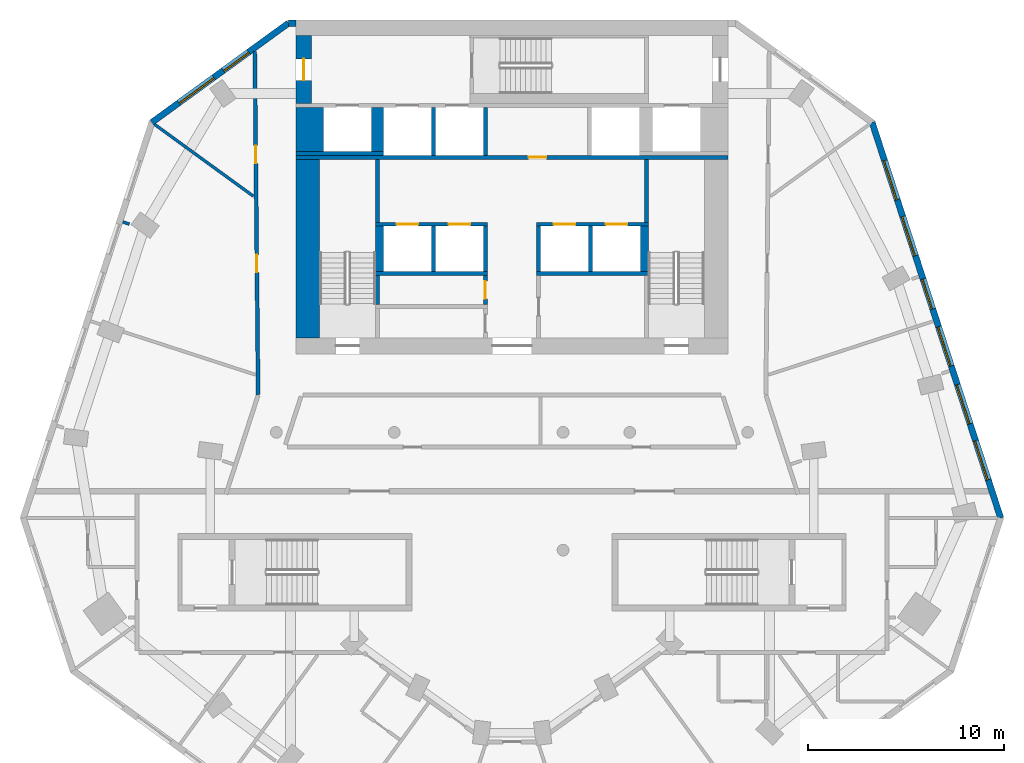
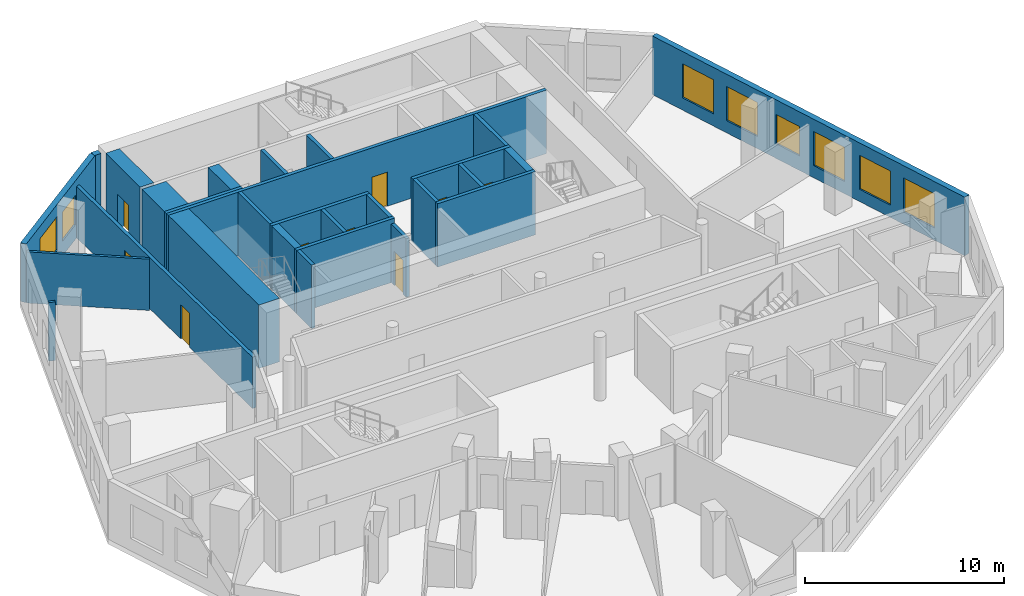
# One storey, part 5 of 9: 28 walls, 9 doors, 8 windows, 17 openings.
"""IFC4 building model written with IfcOpenShell, lengths in metres."""

from ifc_helpers import new_model, si_unit, direction, frame, frame_2d, origin, place, context, subcontext, project, spatial, rectangle, extrude, material, layer, layer_set, type_object, element, fill, save


model = new_model("IFC4")

# Units and contexts
model_context = context("Model", 3, precision=1e-05, world=origin(), true_north=direction((0.0, 1.0)))
body_context = subcontext(model_context, "Body", "Model", "MODEL_VIEW")
ifc_project = project(units=[si_unit("LENGTHUNIT", "METRE"), si_unit("AREAUNIT", "SQUARE_METRE"), si_unit("VOLUMEUNIT", "CUBIC_METRE"), si_unit("PLANEANGLEUNIT", "RADIAN"), si_unit("MASSUNIT", "GRAM", prefix="KILO")], contexts=[model_context])

# Site, building, storey
site_placement = place(None, origin())
site = spatial("IfcSite", under=ifc_project, at=site_placement, CompositionType="ELEMENT")
building_placement = place(site_placement, origin())
building = spatial("IfcBuilding", under=site, at=building_placement, Name="White Candle Pilgrim Tower", CompositionType="ELEMENT")
storey_placement = place(building_placement, frame((0.0, 0.0, 200.39990234375)))
storey = spatial("IfcBuildingStorey", under=building, at=storey_placement, Name="L46", CompositionType="ELEMENT", Elevation=200.39990234375)

# Walls
ifc_material_1 = material(Name="Concrete C50/60", Category="concrete")
ifc_layer_1 = layer(ifc_material_1, 1.39990234375)
ifc_layer_set_1 = layer_set([ifc_layer_1], Name="Core wall 1400 mm Concrete C50/60")
wall_type_1 = type_object("IfcWallType", Name="Core wall 1400 mm Concrete C50/60", PredefinedType="SHEAR", material=ifc_layer_set_1)
wall_1_placement = place(storey_placement, frame((59.699951171875, 81.300048828125, 0.0), z_axis=(0.0, 0.0, 1.0), x_axis=(0.0, 1.0, 0.0)))
element("IfcWall", 1, at=wall_1_placement, inside=storey, type_object=wall_type_1, Name="WL-L46-C39", PredefinedType="SHEAR", context=body_context, shape_type="SweptSolid", body=[
    extrude(rectangle(XDim=2.25, YDim=1.39990234375, at=frame_2d((1.125, 0.0))), origin(), (0.0, 0.0, 1.0), 3.900146484375),
])
ifc_layer_2 = layer(ifc_material_1, 0.199951171875)
ifc_layer_set_2 = layer_set([ifc_layer_2], Name="Core wall 200 mm Concrete C50/60")
wall_type_2 = type_object("IfcWallType", Name="Core wall 200 mm Concrete C50/60", PredefinedType="SHEAR", material=ifc_layer_set_2)
wall_2_placement = place(storey_placement, frame((59.0, 81.199951171875, 0.0), z_axis=(0.0, 0.0, 1.0), x_axis=(1.0, 0.0, 0.0)))
element("IfcWall", 2, at=wall_2_placement, inside=storey, type_object=wall_type_2, Name="WL-L46-C34", PredefinedType="SHEAR", context=body_context, shape_type="SweptSolid", body=[
    extrude(rectangle(XDim=4.449951171875, YDim=0.199951171875, at=frame_2d((2.22509765625, 0.0))), origin(), (0.0, 0.0, 1.0), 3.900146484375),
])

# Wall, opening, door
ifc_layer_3 = layer(ifc_material_1, 0.800048828125)
ifc_layer_set_3 = layer_set([ifc_layer_3], Name="Core wall 800 mm Concrete C50/60")
wall_type_3 = type_object("IfcWallType", Name="Core wall 800 mm Concrete C50/60", PredefinedType="SHEAR", material=ifc_layer_set_3)
wall_3_placement = place(storey_placement, frame((59.39990234375, 83.75, 0.0), z_axis=(0.0, 0.0, 1.0), x_axis=(0.0, 1.0, 0.0)))
wall_3 = element("IfcWall", 3, at=wall_3_placement, inside=storey, type_object=wall_type_3, Name="WL-L46-C44", PredefinedType="SHEAR", context=body_context, shape_type="SweptSolid", body=[
    extrude(rectangle(XDim=3.449951171875, YDim=0.800048828125, at=frame_2d((1.72509765625, 0.0))), origin(), (0.0, 0.0, 1.0), 3.900146484375),
])
opening_1_placement = place(wall_3_placement, frame((1.175048828125, 0.0, 0.0)))
opening_1 = element("IfcOpeningElement", 4, at=opening_1_placement, cuts=wall_3, Name="Opening T14-008", PredefinedType="OPENING", context=body_context, shape_type="SweptSolid", body=[
    extrude(rectangle(XDim=1.10009765625, YDim=2.10009765625, at=frame_2d((0.550048828125, 1.050048828125))), frame((0.0, 0.409912109375, 0.0), z_axis=(0.0, -1.0, 0.0), x_axis=(1.0, 0.0, 0.0)), (0.0, 0.0, 1.0), 0.820068359375),
])
ifc_material_2 = material(Name="Steel door leaf", Category="steel")
door_type_1 = type_object("IfcDoorType", Name="Fire door 1100 x 2100 EI 60", OperationType="NOTDEFINED", PredefinedType="DOOR", material=ifc_material_2)
door_1_placement = place(opening_1_placement, origin())
door_1 = element("IfcDoor", 5, at=door_1_placement, inside=storey, type_object=door_type_1, Name="Door T14-008", OperationType="SINGLE_SWING_RIGHT", OverallHeight=2.10009765625, OverallWidth=1.10009765625, PredefinedType="DOOR", context=body_context, shape_type="SweptSolid", body=[
    extrude(rectangle(XDim=1.10009765625, YDim=2.10009765625, at=frame_2d((0.550048828125, 1.050048828125))), frame((0.0, 0.02490234375, 0.0), z_axis=(0.0, -1.0, 0.0), x_axis=(1.0, 0.0, 0.0)), (0.0, 0.0, 1.0), 0.050048828125),
])
fill(opening_1, door_1)

# Wall, openings, doors
ifc_material_3 = material(Name="Gypsum board on steel studs", Category="steel")
ifc_layer_4 = layer(ifc_material_3, 0.199951171875)
ifc_layer_set_4 = layer_set([ifc_layer_4], Name="Corridor wall 200 mm EI 45")
wall_type_4 = type_object("IfcWallType", Name="Corridor wall 200 mm EI 45", PredefinedType="PARTITIONING", material=ifc_layer_set_4)
wall_4_placement = place(storey_placement, frame((57.072021484375, 68.916259765625, 0.0), z_axis=(0.0, 0.0, 1.0), x_axis=(-0.009846166448, 0.999951525328, 0.0)))
wall_4 = element("IfcWall", 6, at=wall_4_placement, inside=storey, type_object=wall_type_4, Name="WL-L46-P003", PredefinedType="PARTITIONING", context=body_context, shape_type="SweptSolid", body=[
    extrude(rectangle(XDim=17.480712890625, YDim=0.199951171875, at=frame_2d((8.740234375, 0.0))), origin(), (0.0, 0.0, 1.0), 3.150146484375),
])
opening_2_placement = place(wall_4_placement, frame((6.227294921875, 0.0, 0.0)))
opening_2 = element("IfcOpeningElement", 7, at=opening_2_placement, cuts=wall_4, Name="Opening T14-119", PredefinedType="OPENING", context=body_context, shape_type="SweptSolid", body=[
    extrude(rectangle(XDim=0.89990234375, YDim=2.10009765625, at=frame_2d((0.449951171875, 1.050048828125))), frame((0.0, 0.10986328125, 0.0), z_axis=(0.0, -1.0, 0.0), x_axis=(1.0, 0.0, 0.0)), (0.0, 0.0, 1.0), 0.219970703125),
])
opening_3_placement = place(wall_4_placement, frame((11.78662109375, 0.0, 0.0)))
opening_3 = element("IfcOpeningElement", 8, at=opening_3_placement, cuts=wall_4, Name="Opening T14-120", PredefinedType="OPENING", context=body_context, shape_type="SweptSolid", body=[
    extrude(rectangle(XDim=0.89990234375, YDim=2.10009765625, at=frame_2d((0.449951171875, 1.050048828125))), frame((0.0, 0.10986328125, 0.0), z_axis=(0.0, -1.0, 0.0), x_axis=(1.0, 0.0, 0.0)), (0.0, 0.0, 1.0), 0.219970703125),
])
door_type_2 = type_object("IfcDoorType", Name="Fire door 900 x 2100 EI 30", OperationType="NOTDEFINED", PredefinedType="DOOR", material=ifc_material_2)
door_2_placement = place(opening_2_placement, origin())
door_2 = element("IfcDoor", 9, at=door_2_placement, inside=storey, type_object=door_type_2, Name="Door T14-119", OperationType="SINGLE_SWING_LEFT", OverallHeight=2.10009765625, OverallWidth=0.89990234375, PredefinedType="DOOR", context=body_context, shape_type="SweptSolid", body=[
    extrude(rectangle(XDim=0.89990234375, YDim=2.10009765625, at=frame_2d((0.449951171875, 1.050048828125))), frame((0.0, 0.02490234375, 0.0), z_axis=(0.0, -1.0, 0.0), x_axis=(1.0, 0.0, 0.0)), (0.0, 0.0, 1.0), 0.050048828125),
])
fill(opening_2, door_2)
door_3_placement = place(opening_3_placement, origin())
door_3 = element("IfcDoor", 10, at=door_3_placement, inside=storey, type_object=door_type_2, Name="Door T14-120", OperationType="SINGLE_SWING_RIGHT", OverallHeight=2.10009765625, OverallWidth=0.89990234375, PredefinedType="DOOR", context=body_context, shape_type="SweptSolid", body=[
    extrude(rectangle(XDim=0.89990234375, YDim=2.10009765625, at=frame_2d((0.449951171875, 1.050048828125))), frame((0.0, 0.02490234375, 0.0), z_axis=(0.0, -1.0, 0.0), x_axis=(1.0, 0.0, 0.0)), (0.0, 0.0, 1.0), 0.050048828125),
])
fill(opening_3, door_3)

# Wall, openings, windows
ifc_material_4 = material(Name="Precast concrete C40/50", Category="concrete")
ifc_layer_5 = layer(ifc_material_4, 0.320068359375)
ifc_layer_set_5 = layer_set([ifc_layer_5], Name="Facade wall EW1 precast concrete C40/50 pier wall with timber-lined reveals")
wall_type_5 = type_object("IfcWallType", Name="Facade wall EW1 precast concrete C40/50 pier wall with timber-lined reveals", PredefinedType="SOLIDWALL", material=ifc_layer_set_5)
wall_5_placement = place(storey_placement, frame((94.88720703125, 62.6416015625, 0.0), z_axis=(0.0, 0.0, 1.0), x_axis=(-0.309019087741, 0.951055836117, 0.0)))
wall_5 = element("IfcWall", 11, at=wall_5_placement, inside=storey, type_object=wall_type_5, Name="Facade wall L46 ENE", PredefinedType="SOLIDWALL", context=body_context, shape_type="SweptSolid", body=[
    extrude(rectangle(XDim=21.180419921875, YDim=0.320068359375, at=frame_2d((10.59033203125, 0.0))), origin(), (0.0, 0.0, 1.0), 3.60009765625),
])
opening_4_placement = place(wall_5_placement, frame((2.040283203125, 0.0, 0.75)))
opening_4 = element("IfcOpeningElement", 12, at=opening_4_placement, cuts=wall_5, Name="Opening W3", PredefinedType="OPENING", context=body_context, shape_type="SweptSolid", body=[
    extrude(rectangle(XDim=2.10009765625, YDim=2.10009765625, at=frame_2d((1.050048828125, 1.050048828125))), frame((0.0, 0.169921875, 0.0), z_axis=(0.0, -1.0, 0.0), x_axis=(1.0, 0.0, 0.0)), (0.0, 0.0, 1.0), 0.340087890625),
])
opening_5_placement = place(wall_5_placement, frame((5.040283203125, 0.0, 0.75)))
opening_5 = element("IfcOpeningElement", 13, at=opening_5_placement, cuts=wall_5, Name="Opening W3", PredefinedType="OPENING", context=body_context, shape_type="SweptSolid", body=[
    extrude(rectangle(XDim=2.10009765625, YDim=2.10009765625, at=frame_2d((1.050048828125, 1.050048828125))), frame((0.0, 0.169921875, 0.0), z_axis=(0.0, -1.0, 0.0), x_axis=(1.0, 0.0, 0.0)), (0.0, 0.0, 1.0), 0.340087890625),
])
opening_6_placement = place(wall_5_placement, frame((8.14013671875, 0.0, 0.75)))
opening_6 = element("IfcOpeningElement", 14, at=opening_6_placement, cuts=wall_5, Name="Opening W3", PredefinedType="OPENING", context=body_context, shape_type="SweptSolid", body=[
    extrude(rectangle(XDim=2.10009765625, YDim=2.10009765625, at=frame_2d((1.050048828125, 1.050048828125))), frame((0.0, 0.169921875, 0.0), z_axis=(0.0, -1.0, 0.0), x_axis=(1.0, 0.0, 0.0)), (0.0, 0.0, 1.0), 0.340087890625),
])
opening_7_placement = place(wall_5_placement, frame((11.190185546875, 0.0, 0.89990234375)))
opening_7 = element("IfcOpeningElement", 15, at=opening_7_placement, cuts=wall_5, Name="Opening W2", PredefinedType="OPENING", context=body_context, shape_type="SweptSolid", body=[
    extrude(rectangle(XDim=1.60009765625, YDim=1.800048828125, at=frame_2d((0.800048828125, 0.89990234375))), frame((0.0, 0.169921875, 0.0), z_axis=(0.0, -1.0, 0.0), x_axis=(1.0, 0.0, 0.0)), (0.0, 0.0, 1.0), 0.340087890625),
])
opening_8_placement = place(wall_5_placement, frame((14.040283203125, 0.0, 0.75)))
opening_8 = element("IfcOpeningElement", 16, at=opening_8_placement, cuts=wall_5, Name="Opening W3", PredefinedType="OPENING", context=body_context, shape_type="SweptSolid", body=[
    extrude(rectangle(XDim=2.10009765625, YDim=2.10009765625, at=frame_2d((1.050048828125, 1.050048828125))), frame((0.0, 0.169921875, 0.0), z_axis=(0.0, -1.0, 0.0), x_axis=(1.0, 0.0, 0.0)), (0.0, 0.0, 1.0), 0.340087890625),
])
opening_9_placement = place(wall_5_placement, frame((17.040283203125, 0.0, 0.75)))
opening_9 = element("IfcOpeningElement", 17, at=opening_9_placement, cuts=wall_5, Name="Opening W3", PredefinedType="OPENING", context=body_context, shape_type="SweptSolid", body=[
    extrude(rectangle(XDim=2.10009765625, YDim=2.10009765625, at=frame_2d((1.050048828125, 1.050048828125))), frame((0.0, 0.169921875, 0.0), z_axis=(0.0, -1.0, 0.0), x_axis=(1.0, 0.0, 0.0)), (0.0, 0.0, 1.0), 0.340087890625),
])
ifc_material_5 = material(Name="Timber frame with triple glazing", Category="wood")
window_type_1 = type_object("IfcWindowType", Name="Window W2 1600x1800 timber frame triple glazing", PartitioningType="SINGLE_PANEL", PredefinedType="WINDOW", material=ifc_material_5)
window_1_placement = place(opening_7_placement, origin())
window_1 = element("IfcWindow", 18, at=window_1_placement, inside=storey, type_object=window_type_1, Name="Window W2 L46 ENE 4", OverallHeight=1.800048828125, OverallWidth=1.60009765625, PartitioningType="SINGLE_PANEL", PredefinedType="WINDOW", context=body_context, shape_type="SweptSolid", body=[
    extrude(rectangle(XDim=1.60009765625, YDim=1.800048828125, at=frame_2d((0.800048828125, 0.89990234375))), frame((0.0, 0.070068359375, 0.0), z_axis=(0.0, -1.0, 0.0), x_axis=(1.0, 0.0, 0.0)), (0.0, 0.0, 1.0), 0.06005859375),
])
fill(opening_7, window_1)
window_type_2 = type_object("IfcWindowType", Name="Window W3 2100x2100 timber frame triple glazing", PartitioningType="SINGLE_PANEL", PredefinedType="WINDOW", material=ifc_material_5)
window_2_placement = place(opening_4_placement, origin())
window_2 = element("IfcWindow", 19, at=window_2_placement, inside=storey, type_object=window_type_2, Name="Window W3 L46 ENE 1", OverallHeight=2.10009765625, OverallWidth=2.10009765625, PartitioningType="SINGLE_PANEL", PredefinedType="WINDOW", context=body_context, shape_type="SweptSolid", body=[
    extrude(rectangle(XDim=2.10009765625, YDim=2.10009765625, at=frame_2d((1.050048828125, 1.050048828125))), frame((0.0, 0.070068359375, 0.0), z_axis=(0.0, -1.0, 0.0), x_axis=(1.0, 0.0, 0.0)), (0.0, 0.0, 1.0), 0.06005859375),
])
fill(opening_4, window_2)
window_3_placement = place(opening_5_placement, origin())
window_3 = element("IfcWindow", 20, at=window_3_placement, inside=storey, type_object=window_type_2, Name="Window W3 L46 ENE 2", OverallHeight=2.10009765625, OverallWidth=2.10009765625, PartitioningType="SINGLE_PANEL", PredefinedType="WINDOW", context=body_context, shape_type="SweptSolid", body=[
    extrude(rectangle(XDim=2.10009765625, YDim=2.10009765625, at=frame_2d((1.050048828125, 1.050048828125))), frame((0.0, 0.070068359375, 0.0), z_axis=(0.0, -1.0, 0.0), x_axis=(1.0, 0.0, 0.0)), (0.0, 0.0, 1.0), 0.06005859375),
])
fill(opening_5, window_3)
window_4_placement = place(opening_6_placement, origin())
window_4 = element("IfcWindow", 21, at=window_4_placement, inside=storey, type_object=window_type_2, Name="Window W3 L46 ENE 3", OverallHeight=2.10009765625, OverallWidth=2.10009765625, PartitioningType="SINGLE_PANEL", PredefinedType="WINDOW", context=body_context, shape_type="SweptSolid", body=[
    extrude(rectangle(XDim=2.10009765625, YDim=2.10009765625, at=frame_2d((1.050048828125, 1.050048828125))), frame((0.0, 0.070068359375, 0.0), z_axis=(0.0, -1.0, 0.0), x_axis=(1.0, 0.0, 0.0)), (0.0, 0.0, 1.0), 0.06005859375),
])
fill(opening_6, window_4)
window_5_placement = place(opening_8_placement, origin())
window_5 = element("IfcWindow", 22, at=window_5_placement, inside=storey, type_object=window_type_2, Name="Window W3 L46 ENE 5", OverallHeight=2.10009765625, OverallWidth=2.10009765625, PartitioningType="SINGLE_PANEL", PredefinedType="WINDOW", context=body_context, shape_type="SweptSolid", body=[
    extrude(rectangle(XDim=2.10009765625, YDim=2.10009765625, at=frame_2d((1.050048828125, 1.050048828125))), frame((0.0, 0.070068359375, 0.0), z_axis=(0.0, -1.0, 0.0), x_axis=(1.0, 0.0, 0.0)), (0.0, 0.0, 1.0), 0.06005859375),
])
fill(opening_8, window_5)
window_6_placement = place(opening_9_placement, origin())
window_6 = element("IfcWindow", 23, at=window_6_placement, inside=storey, type_object=window_type_2, Name="Window W3 L46 ENE 6", OverallHeight=2.10009765625, OverallWidth=2.10009765625, PartitioningType="SINGLE_PANEL", PredefinedType="WINDOW", context=body_context, shape_type="SweptSolid", body=[
    extrude(rectangle(XDim=2.10009765625, YDim=2.10009765625, at=frame_2d((1.050048828125, 1.050048828125))), frame((0.0, 0.070068359375, 0.0), z_axis=(0.0, -1.0, 0.0), x_axis=(1.0, 0.0, 0.0)), (0.0, 0.0, 1.0), 0.06005859375),
])
fill(opening_9, window_6)

# Wall
wall_6_placement = place(storey_placement, frame((59.0, 87.840087890625, 0.0), z_axis=(0.0, 0.0, 1.0), x_axis=(-1.0, 0.0, 0.0)))
element("IfcWall", 24, at=wall_6_placement, inside=storey, type_object=wall_type_5, Name="Facade wall L46 N", PredefinedType="SOLIDWALL", context=body_context, shape_type="SweptSolid", body=[
    extrude(rectangle(XDim=0.385009765625, YDim=0.320068359375, at=frame_2d((0.1923828125, 0.0))), origin(), (0.0, 0.0, 1.0), 3.60009765625),
])

# Wall, openings, windows
wall_7_placement = place(storey_placement, frame((58.614990234375, 87.840087890625, 0.0), z_axis=(0.0, 0.0, 1.0), x_axis=(-0.809010998506, -0.58779350481, 0.0)))
wall_7 = element("IfcWall", 25, at=wall_7_placement, inside=storey, type_object=wall_type_5, Name="Facade wall L46 NW chamfer", PredefinedType="SOLIDWALL", context=body_context, shape_type="SweptSolid", body=[
    extrude(rectangle(XDim=8.599365234375, YDim=0.320068359375, at=frame_2d((4.2998046875, 0.0))), origin(), (0.0, 0.0, 1.0), 3.60009765625),
])
opening_10_placement = place(wall_7_placement, frame((2.499755859375, 0.0, 0.89990234375)))
opening_10 = element("IfcOpeningElement", 26, at=opening_10_placement, cuts=wall_7, Name="Opening W2", PredefinedType="OPENING", context=body_context, shape_type="SweptSolid", body=[
    extrude(rectangle(XDim=1.60009765625, YDim=1.800048828125, at=frame_2d((0.800048828125, 0.89990234375))), frame((0.0, 0.169921875, 0.0), z_axis=(0.0, -1.0, 0.0), x_axis=(1.0, 0.0, 0.0)), (0.0, 0.0, 1.0), 0.340087890625),
])
opening_11_placement = place(wall_7_placement, frame((4.69970703125, 0.0, 0.75)))
opening_11 = element("IfcOpeningElement", 27, at=opening_11_placement, cuts=wall_7, Name="Opening W4", PredefinedType="OPENING", context=body_context, shape_type="SweptSolid", body=[
    extrude(rectangle(XDim=2.199951171875, YDim=2.10009765625, at=frame_2d((1.10009765625, 1.050048828125))), frame((0.0, 0.169921875, 0.0), z_axis=(0.0, -1.0, 0.0), x_axis=(1.0, 0.0, 0.0)), (0.0, 0.0, 1.0), 0.340087890625),
])
window_7_placement = place(opening_10_placement, origin())
window_7 = element("IfcWindow", 28, at=window_7_placement, inside=storey, type_object=window_type_1, Name="Window W2 L46 NW chamfer 1", OverallHeight=1.800048828125, OverallWidth=1.60009765625, PartitioningType="SINGLE_PANEL", PredefinedType="WINDOW", context=body_context, shape_type="SweptSolid", body=[
    extrude(rectangle(XDim=1.60009765625, YDim=1.800048828125, at=frame_2d((0.800048828125, 0.89990234375))), frame((0.0, 0.070068359375, 0.0), z_axis=(0.0, -1.0, 0.0), x_axis=(1.0, 0.0, 0.0)), (0.0, 0.0, 1.0), 0.06005859375),
])
fill(opening_10, window_7)
window_type_3 = type_object("IfcWindowType", Name="Window W4 2200x2100 timber frame triple glazing", PartitioningType="SINGLE_PANEL", PredefinedType="WINDOW", material=ifc_material_5)
window_8_placement = place(opening_11_placement, origin())
window_8 = element("IfcWindow", 29, at=window_8_placement, inside=storey, type_object=window_type_3, Name="Window W4 L46 NW chamfer 2", OverallHeight=2.10009765625, OverallWidth=2.199951171875, PartitioningType="SINGLE_PANEL", PredefinedType="WINDOW", context=body_context, shape_type="SweptSolid", body=[
    extrude(rectangle(XDim=2.199951171875, YDim=2.10009765625, at=frame_2d((1.10009765625, 1.050048828125))), frame((0.0, 0.070068359375, 0.0), z_axis=(0.0, -1.0, 0.0), x_axis=(1.0, 0.0, 0.0)), (0.0, 0.0, 1.0), 0.06005859375),
])
fill(opening_11, window_8)

# Wall, opening, door
ifc_layer_6 = layer(ifc_material_3, 0.199951171875)
ifc_layer_set_6 = layer_set([ifc_layer_6], Name="Lobby wall 200 mm EI 60")
wall_type_6 = type_object("IfcWallType", Name="Lobby wall 200 mm EI 60", PredefinedType="PARTITIONING", material=ifc_layer_set_6)
wall_8_placement = place(storey_placement, frame((68.64990234375, 73.5, 0.0), z_axis=(0.0, 0.0, 1.0), x_axis=(0.0, 1.0, 0.0)))
wall_8 = element("IfcWall", 30, at=wall_8_placement, inside=storey, type_object=wall_type_6, Name="WL-L46-C20", PredefinedType="PARTITIONING", context=body_context, shape_type="SweptSolid", body=[
    extrude(rectangle(XDim=1.5, YDim=0.199951171875, at=frame_2d((0.75, 0.0))), origin(), (0.0, 0.0, 1.0), 3.60009765625),
])
opening_12_placement = place(wall_8_placement, frame((0.300048828125, 0.0, 0.0)))
opening_12 = element("IfcOpeningElement", 31, at=opening_12_placement, cuts=wall_8, Name="Opening T14-006", PredefinedType="OPENING", context=body_context, shape_type="SweptSolid", body=[
    extrude(rectangle(XDim=0.89990234375, YDim=2.10009765625, at=frame_2d((0.449951171875, 1.050048828125))), frame((0.0, 0.10986328125, 0.0), z_axis=(0.0, -1.0, 0.0), x_axis=(1.0, 0.0, 0.0)), (0.0, 0.0, 1.0), 0.219970703125),
])
door_4_placement = place(opening_12_placement, origin())
door_4 = element("IfcDoor", 32, at=door_4_placement, inside=storey, type_object=door_type_2, Name="Door T14-006", OperationType="SINGLE_SWING_RIGHT", OverallHeight=2.10009765625, OverallWidth=0.89990234375, PredefinedType="DOOR", context=body_context, shape_type="SweptSolid", body=[
    extrude(rectangle(XDim=0.89990234375, YDim=2.10009765625, at=frame_2d((0.449951171875, 1.050048828125))), frame((0.0, 0.02490234375, 0.0), z_axis=(0.0, -1.0, 0.0), x_axis=(1.0, 0.0, 0.0)), (0.0, 0.0, 1.0), 0.050048828125),
])
fill(opening_12, door_4)

# Walls
ifc_layer_7 = layer(ifc_material_3, 0.14990234375)
ifc_layer_set_7 = layer_set([ifc_layer_7], Name="Partition 150 mm EI 60")
wall_type_7 = type_object("IfcWallType", Name="Partition 150 mm EI 60", PredefinedType="PARTITIONING", material=ifc_layer_set_7)
wall_9_placement = place(storey_placement, frame((51.7939453125, 82.6865234375, 0.0), z_axis=(0.0, 0.0, 1.0), x_axis=(0.809027823237, -0.587770347354, 0.0)))
element("IfcWall", 33, at=wall_9_placement, inside=storey, type_object=wall_type_7, Name="WL-L46-P017", PredefinedType="PARTITIONING", context=body_context, shape_type="SweptSolid", body=[
    extrude(rectangle(XDim=6.22216796875, YDim=0.14990234375, at=frame_2d((3.111083984375, 0.0))), origin(), (0.0, 0.0, 1.0), 3.150146484375),
])
wall_10_placement = place(storey_placement, frame((50.514404296875, 77.607421875, 0.0), z_axis=(0.0, 0.0, 1.0), x_axis=(-0.951079872945, 0.308945100753, 0.0)))
element("IfcWall", 34, at=wall_10_placement, inside=storey, type_object=wall_type_7, Name="WL-L46-P051", PredefinedType="PARTITIONING", context=body_context, shape_type="SweptSolid", body=[
    extrude(rectangle(XDim=0.3525390625, YDim=0.14990234375, at=frame_2d((0.17626953125, 0.0))), origin(), (0.0, 0.0, 1.0), 3.60009765625),
])
ifc_layer_8 = layer(ifc_material_1, 0.199951171875)
ifc_layer_set_8 = layer_set([ifc_layer_8], Name="Shaft wall 200 mm Concrete C50/60")
wall_type_8 = type_object("IfcWallType", Name="Shaft wall 200 mm Concrete C50/60", PredefinedType="SHEAR", material=ifc_layer_set_8)
for number, where, z_axis, x_axis, name in (
    (35, (66.0, 75.199951171875, 0.0), (0.0, 0.0, 1.0), (0.0, 1.0, 0.0), "WL-L46-C24"),
    (36, (68.64990234375, 75.199951171875, 0.0), (0.0, 0.0, 1.0), (0.0, 1.0, 0.0), "WL-L46-C25"),
    (37, (71.35009765625, 75.199951171875, 0.0), (0.0, 0.0, 1.0), (0.0, 1.0, 0.0), "WL-L46-C26"),
    (38, (74.0, 75.199951171875, 0.0), (0.0, 0.0, 1.0), (0.0, 1.0, 0.0), "WL-L46-C27"),
):
    element("IfcWall", number, at=place(storey_placement, frame(where, z_axis=z_axis, x_axis=x_axis)), inside=storey, type_object=wall_type_8, Name=name, PredefinedType="SHEAR", context=body_context, shape_type="SweptSolid", body=[
        extrude(rectangle(XDim=2.300048828125, YDim=0.199951171875, at=frame_2d((1.14990234375, 0.0))), origin(), (0.0, 0.0, 1.0), 3.900146484375),
    ])
for number, where, z_axis, x_axis, name in (
    (39, (66.0, 81.10009765625, 0.0), (0.0, 0.0, 1.0), (0.0, 1.0, 0.0), "WL-L46-C35"),
    (40, (68.64990234375, 81.10009765625, 0.0), (0.0, 0.0, 1.0), (0.0, 1.0, 0.0), "WL-L46-C36"),
):
    element("IfcWall", number, at=place(storey_placement, frame(where, z_axis=z_axis, x_axis=x_axis)), inside=storey, type_object=wall_type_8, Name=name, PredefinedType="SHEAR", context=body_context, shape_type="SweptSolid", body=[
        extrude(rectangle(XDim=2.449951171875, YDim=0.199951171875, at=frame_2d((1.22509765625, 0.0))), origin(), (0.0, 0.0, 1.0), 3.900146484375),
    ])
ifc_layer_9 = layer(ifc_material_1, 0.60009765625)
ifc_layer_set_9 = layer_set([ifc_layer_9], Name="Shaft wall 600 mm Concrete C50/60")
wall_type_9 = type_object("IfcWallType", Name="Shaft wall 600 mm Concrete C50/60", PredefinedType="SHEAR", material=ifc_layer_set_9)
wall_11_placement = place(storey_placement, frame((63.14990234375, 81.300048828125, 0.0), z_axis=(0.0, 0.0, 1.0), x_axis=(0.0, 1.0, 0.0)))
element("IfcWall", 41, at=wall_11_placement, inside=storey, type_object=wall_type_9, Name="WL-L46-C40", PredefinedType="SHEAR", context=body_context, shape_type="SweptSolid", body=[
    extrude(rectangle(XDim=2.25, YDim=0.60009765625, at=frame_2d((1.125, 0.0))), origin(), (0.0, 0.0, 1.0), 3.900146484375),
])
ifc_layer_10 = layer(ifc_material_1, 1.199951171875)
ifc_layer_set_10 = layer_set([ifc_layer_10], Name="Stair shaft wall 1200 mm Concrete C50/60")
wall_type_10 = type_object("IfcWallType", Name="Stair shaft wall 1200 mm Concrete C50/60", PredefinedType="SHEAR", material=ifc_layer_set_10)
wall_12_placement = place(storey_placement, frame((59.60009765625, 71.800048828125, 0.0), z_axis=(0.0, 0.0, 1.0), x_axis=(0.0, 1.0, 0.0)))
element("IfcWall", 42, at=wall_12_placement, inside=storey, type_object=wall_type_10, Name="WL-L46-C12", PredefinedType="SHEAR", context=body_context, shape_type="SweptSolid", body=[
    extrude(rectangle(XDim=9.099853515625, YDim=1.199951171875, at=frame_2d((4.5498046875, 0.0))), origin(), (0.0, 0.0, 1.0), 3.900146484375),
])
ifc_layer_11 = layer(ifc_material_1, 0.199951171875)
ifc_layer_set_11 = layer_set([ifc_layer_11], Name="Stair shaft wall 200 mm Concrete C50/60")
wall_type_11 = type_object("IfcWallType", Name="Stair shaft wall 200 mm Concrete C50/60", PredefinedType="SHEAR", material=ifc_layer_set_11)
wall_13_placement = place(storey_placement, frame((63.14990234375, 73.5, 0.0), z_axis=(0.0, 0.0, 1.0), x_axis=(0.0, 1.0, 0.0)))
element("IfcWall", 43, at=wall_13_placement, inside=storey, type_object=wall_type_11, Name="WL-L46-C19", PredefinedType="SHEAR", context=body_context, shape_type="SweptSolid", body=[
    extrude(rectangle(XDim=1.5, YDim=0.199951171875, at=frame_2d((0.75, 0.0))), origin(), (0.0, 0.0, 1.0), 3.900146484375),
])
for number, where, z_axis, x_axis, name in (
    (44, (63.050048828125, 75.10009765625, 0.0), (0.0, 0.0, 1.0), (1.0, 0.0, 0.0), "WL-L46-C21"),
    (45, (71.25, 75.10009765625, 0.0), (0.0, 0.0, 1.0), (1.0, 0.0, 0.0), "WL-L46-C22"),
):
    element("IfcWall", number, at=place(storey_placement, frame(where, z_axis=z_axis, x_axis=x_axis)), inside=storey, type_object=wall_type_11, Name=name, PredefinedType="SHEAR", context=body_context, shape_type="SweptSolid", body=[
        extrude(rectangle(XDim=5.699951171875, YDim=0.199951171875, at=frame_2d((2.85009765625, 0.0))), origin(), (0.0, 0.0, 1.0), 3.900146484375),
    ])

# Wall, openings, doors
wall_14_placement = place(storey_placement, frame((63.050048828125, 77.60009765625, 0.0), z_axis=(0.0, 0.0, 1.0), x_axis=(1.0, 0.0, 0.0)))
wall_14 = element("IfcWall", 46, at=wall_14_placement, inside=storey, type_object=wall_type_11, Name="WL-L46-C29", PredefinedType="SHEAR", context=body_context, shape_type="SweptSolid", body=[
    extrude(rectangle(XDim=5.699951171875, YDim=0.199951171875, at=frame_2d((2.85009765625, 0.0))), origin(), (0.0, 0.0, 1.0), 3.900146484375),
])
opening_13_placement = place(wall_14_placement, frame((1.074951171875, 0.0, 0.0)))
opening_13 = element("IfcOpeningElement", 47, at=opening_13_placement, cuts=wall_14, Name="Opening T14-014", PredefinedType="OPENING", context=body_context, shape_type="SweptSolid", body=[
    extrude(rectangle(XDim=1.10009765625, YDim=2.10009765625, at=frame_2d((0.550048828125, 1.050048828125))), frame((0.0, 0.10986328125, 0.0), z_axis=(0.0, -1.0, 0.0), x_axis=(1.0, 0.0, 0.0)), (0.0, 0.0, 1.0), 0.219970703125),
])
opening_14_placement = place(wall_14_placement, frame((3.72509765625, 0.0, 0.0)))
opening_14 = element("IfcOpeningElement", 48, at=opening_14_placement, cuts=wall_14, Name="Opening T14-015", PredefinedType="OPENING", context=body_context, shape_type="SweptSolid", body=[
    extrude(rectangle(XDim=1.10009765625, YDim=2.10009765625, at=frame_2d((0.550048828125, 1.050048828125))), frame((0.0, 0.10986328125, 0.0), z_axis=(0.0, -1.0, 0.0), x_axis=(1.0, 0.0, 0.0)), (0.0, 0.0, 1.0), 0.219970703125),
])
ifc_material_6 = material(Name="Stainless steel", Category="steel")
door_type_3 = type_object("IfcDoorType", Name="Lift landing door 1100 x 2100 E 60", OperationType="DOUBLE_DOOR_SLIDING", PredefinedType="DOOR", material=ifc_material_6)
door_5_placement = place(opening_13_placement, origin())
door_5 = element("IfcDoor", 49, at=door_5_placement, inside=storey, type_object=door_type_3, Name="Door T14-014", OperationType="DOUBLE_DOOR_SLIDING", OverallHeight=2.10009765625, OverallWidth=1.10009765625, PredefinedType="DOOR", context=body_context, shape_type="SweptSolid", body=[
    extrude(rectangle(XDim=1.10009765625, YDim=2.10009765625, at=frame_2d((0.550048828125, 1.050048828125))), frame((0.0, 0.02490234375, 0.0), z_axis=(0.0, -1.0, 0.0), x_axis=(1.0, 0.0, 0.0)), (0.0, 0.0, 1.0), 0.050048828125),
])
fill(opening_13, door_5)
door_6_placement = place(opening_14_placement, origin())
door_6 = element("IfcDoor", 50, at=door_6_placement, inside=storey, type_object=door_type_3, Name="Door T14-015", OperationType="DOUBLE_DOOR_SLIDING", OverallHeight=2.10009765625, OverallWidth=1.10009765625, PredefinedType="DOOR", context=body_context, shape_type="SweptSolid", body=[
    extrude(rectangle(XDim=1.10009765625, YDim=2.10009765625, at=frame_2d((0.550048828125, 1.050048828125))), frame((0.0, 0.02490234375, 0.0), z_axis=(0.0, -1.0, 0.0), x_axis=(1.0, 0.0, 0.0)), (0.0, 0.0, 1.0), 0.050048828125),
])
fill(opening_14, door_6)

wall_15_placement = place(storey_placement, frame((71.25, 77.60009765625, 0.0), z_axis=(0.0, 0.0, 1.0), x_axis=(1.0, 0.0, 0.0)))
wall_15 = element("IfcWall", 51, at=wall_15_placement, inside=storey, type_object=wall_type_11, Name="WL-L46-C30", PredefinedType="SHEAR", context=body_context, shape_type="SweptSolid", body=[
    extrude(rectangle(XDim=5.699951171875, YDim=0.199951171875, at=frame_2d((2.85009765625, 0.0))), origin(), (0.0, 0.0, 1.0), 3.900146484375),
])
opening_15_placement = place(wall_15_placement, frame((0.875, 0.0, 0.0)))
opening_15 = element("IfcOpeningElement", 52, at=opening_15_placement, cuts=wall_15, Name="Opening T14-016", PredefinedType="OPENING", context=body_context, shape_type="SweptSolid", body=[
    extrude(rectangle(XDim=1.10009765625, YDim=2.10009765625, at=frame_2d((0.550048828125, 1.050048828125))), frame((0.0, 0.10986328125, 0.0), z_axis=(0.0, -1.0, 0.0), x_axis=(1.0, 0.0, 0.0)), (0.0, 0.0, 1.0), 0.219970703125),
])
opening_16_placement = place(wall_15_placement, frame((3.52490234375, 0.0, 0.0)))
opening_16 = element("IfcOpeningElement", 53, at=opening_16_placement, cuts=wall_15, Name="Opening T14-017", PredefinedType="OPENING", context=body_context, shape_type="SweptSolid", body=[
    extrude(rectangle(XDim=1.10009765625, YDim=2.10009765625, at=frame_2d((0.550048828125, 1.050048828125))), frame((0.0, 0.10986328125, 0.0), z_axis=(0.0, -1.0, 0.0), x_axis=(1.0, 0.0, 0.0)), (0.0, 0.0, 1.0), 0.219970703125),
])
door_7_placement = place(opening_15_placement, origin())
door_7 = element("IfcDoor", 54, at=door_7_placement, inside=storey, type_object=door_type_3, Name="Door T14-016", OperationType="DOUBLE_DOOR_SLIDING", OverallHeight=2.10009765625, OverallWidth=1.10009765625, PredefinedType="DOOR", context=body_context, shape_type="SweptSolid", body=[
    extrude(rectangle(XDim=1.10009765625, YDim=2.10009765625, at=frame_2d((0.550048828125, 1.050048828125))), frame((0.0, 0.02490234375, 0.0), z_axis=(0.0, -1.0, 0.0), x_axis=(1.0, 0.0, 0.0)), (0.0, 0.0, 1.0), 0.050048828125),
])
fill(opening_15, door_7)
door_8_placement = place(opening_16_placement, origin())
door_8 = element("IfcDoor", 55, at=door_8_placement, inside=storey, type_object=door_type_3, Name="Door T14-017", OperationType="DOUBLE_DOOR_SLIDING", OverallHeight=2.10009765625, OverallWidth=1.10009765625, PredefinedType="DOOR", context=body_context, shape_type="SweptSolid", body=[
    extrude(rectangle(XDim=1.10009765625, YDim=2.10009765625, at=frame_2d((0.550048828125, 1.050048828125))), frame((0.0, 0.02490234375, 0.0), z_axis=(0.0, -1.0, 0.0), x_axis=(1.0, 0.0, 0.0)), (0.0, 0.0, 1.0), 0.050048828125),
])
fill(opening_16, door_8)

# Walls
for number, where, z_axis, x_axis, name in (
    (56, (63.14990234375, 77.699951171875, 0.0), (0.0, 0.0, 1.0), (0.0, 1.0, 0.0), "WL-L46-C31"),
    (57, (76.85009765625, 77.699951171875, 0.0), (0.0, 0.0, 1.0), (0.0, 1.0, 0.0), "WL-L46-C32"),
):
    element("IfcWall", number, at=place(storey_placement, frame(where, z_axis=z_axis, x_axis=x_axis)), inside=storey, type_object=wall_type_11, Name=name, PredefinedType="SHEAR", context=body_context, shape_type="SweptSolid", body=[
        extrude(rectangle(XDim=3.199951171875, YDim=0.199951171875, at=frame_2d((1.60009765625, 0.0))), origin(), (0.0, 0.0, 1.0), 3.900146484375),
    ])

# Wall, opening, door
wall_16_placement = place(storey_placement, frame((59.0, 81.0, 0.0), z_axis=(0.0, 0.0, 1.0), x_axis=(1.0, 0.0, 0.0)))
wall_16 = element("IfcWall", 58, at=wall_16_placement, inside=storey, type_object=wall_type_11, Name="WL-L46-C33", PredefinedType="SHEAR", context=body_context, shape_type="SweptSolid", body=[
    extrude(rectangle(XDim=22.0, YDim=0.199951171875, at=frame_2d((11.0, 0.0))), origin(), (0.0, 0.0, 1.0), 3.900146484375),
])
opening_17_placement = place(wall_16_placement, frame((11.85009765625, 0.0, 0.0)))
opening_17 = element("IfcOpeningElement", 59, at=opening_17_placement, cuts=wall_16, Name="Opening T14-022", PredefinedType="OPENING", context=body_context, shape_type="SweptSolid", body=[
    extrude(rectangle(XDim=0.89990234375, YDim=2.10009765625, at=frame_2d((0.449951171875, 1.050048828125))), frame((0.0, 0.10986328125, 0.0), z_axis=(0.0, -1.0, 0.0), x_axis=(1.0, 0.0, 0.0)), (0.0, 0.0, 1.0), 0.219970703125),
])
door_9_placement = place(opening_17_placement, origin())
door_9 = element("IfcDoor", 60, at=door_9_placement, inside=storey, type_object=door_type_2, Name="Door T14-022", OperationType="SINGLE_SWING_RIGHT", OverallHeight=2.10009765625, OverallWidth=0.89990234375, PredefinedType="DOOR", context=body_context, shape_type="SweptSolid", body=[
    extrude(rectangle(XDim=0.89990234375, YDim=2.10009765625, at=frame_2d((0.449951171875, 1.050048828125))), frame((0.0, 0.02490234375, 0.0), z_axis=(0.0, -1.0, 0.0), x_axis=(1.0, 0.0, 0.0)), (0.0, 0.0, 1.0), 0.050048828125),
])
fill(opening_17, door_9)

# Walls
ifc_layer_12 = layer(ifc_material_1, 0.39990234375)
ifc_layer_set_12 = layer_set([ifc_layer_12], Name="Stair shaft wall 400 mm Concrete C50/60")
wall_type_12 = type_object("IfcWallType", Name="Stair shaft wall 400 mm Concrete C50/60", PredefinedType="SHEAR", material=ifc_layer_set_12)
for number, where, z_axis, x_axis, name in (
    (61, (63.25, 75.199951171875, 0.0), (0.0, 0.0, 1.0), (0.0, 1.0, 0.0), "WL-L46-C23"),
    (62, (76.75, 75.199951171875, 0.0), (0.0, 0.0, 1.0), (0.0, 1.0, 0.0), "WL-L46-C28"),
):
    element("IfcWall", number, at=place(storey_placement, frame(where, z_axis=z_axis, x_axis=x_axis)), inside=storey, type_object=wall_type_12, Name=name, PredefinedType="SHEAR", context=body_context, shape_type="SweptSolid", body=[
        extrude(rectangle(XDim=2.300048828125, YDim=0.39990234375, at=frame_2d((1.14990234375, 0.0))), origin(), (0.0, 0.0, 1.0), 3.900146484375),
    ])

save(model, "model.ifc")
